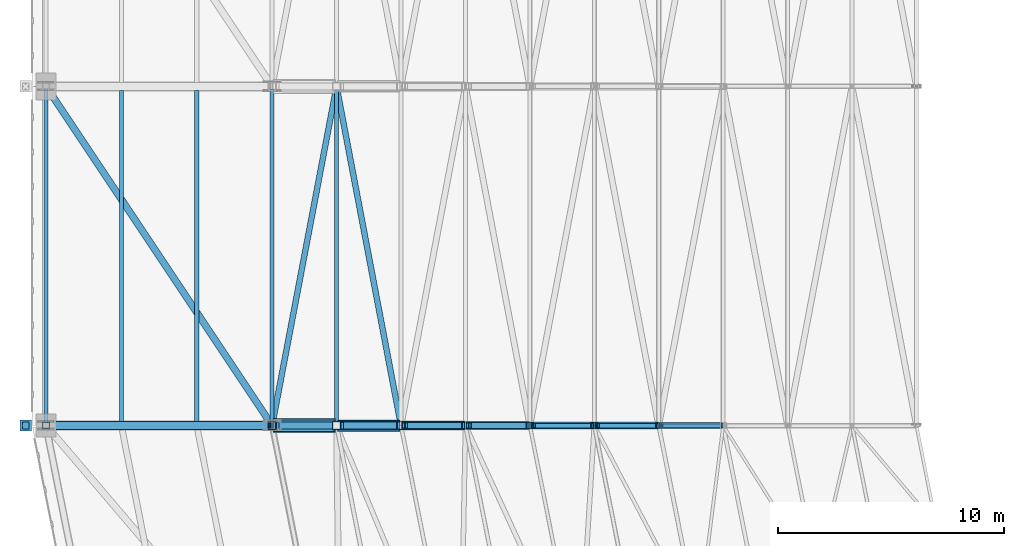
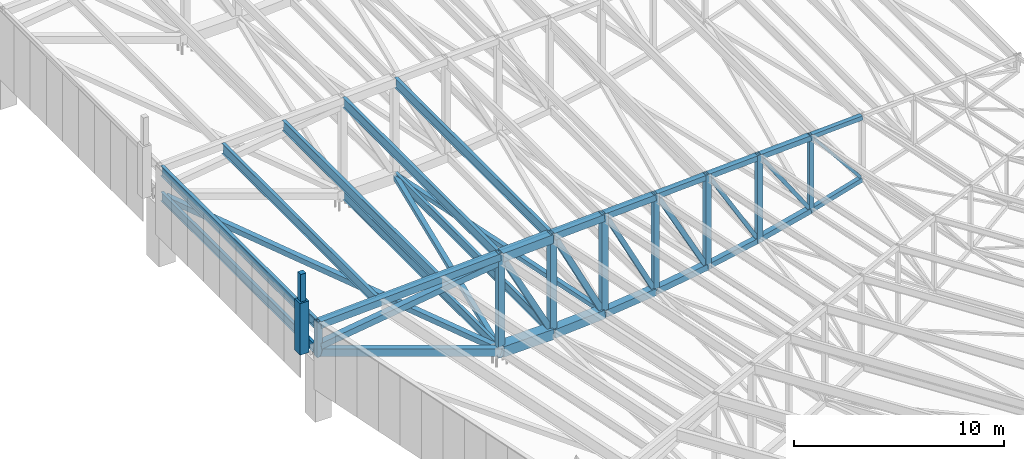
# One storey, part 11 of 278: 24 beams, 21 members.
"""IFC4 building model written with IfcOpenShell, lengths in metres."""

from ifc_helpers import new_model, si_unit, direction, frame, origin, origin_2d, place, context, subcontext, project, spatial, rectangle, hollow_rectangle, i_section, extrude, material, material_profile, profile_set, type_object, element, save


model = new_model("IFC4")

# Units and contexts
model_context = context("Model", 3, precision=1e-05, world=origin(), true_north=direction((0.0, 1.0)))
body_context = subcontext(model_context, "Body", "Model", "MODEL_VIEW")
ifc_project = project(units=[si_unit("LENGTHUNIT", "METRE"), si_unit("AREAUNIT", "SQUARE_METRE"), si_unit("VOLUMEUNIT", "CUBIC_METRE"), si_unit("PLANEANGLEUNIT", "RADIAN"), si_unit("MASSUNIT", "GRAM", prefix="KILO")], contexts=[model_context])

# Site, building, storey
site_placement = place(None, origin())
site = spatial("IfcSite", under=ifc_project, at=site_placement, CompositionType="ELEMENT")
building_placement = place(site_placement, origin())
building = spatial("IfcBuilding", under=site, at=building_placement, Name="Ogive Plaza Stadium", CompositionType="ELEMENT")
storey_placement = place(building_placement, frame((0.0, 0.0, 29.0)))
storey = spatial("IfcBuildingStorey", under=building, at=storey_placement, Name="Roof", CompositionType="ELEMENT", Elevation=29.0)

# Members
ifc_material_1 = material(Name="Concrete C45/55 precast", Category="concrete")
ifc_material_profile_1 = material_profile(ifc_material_1, rectangle(XDim=0.5, YDim=0.5, at=origin_2d()), Name="RC 500x500")
ifc_profile_set_1 = profile_set([ifc_material_profile_1], Name="Concrete C45/55 precast")
member_type_1 = type_object("IfcMemberType", Name="Precast pinnacle 500x500", PredefinedType="POST", material=ifc_profile_set_1)
member_1_placement = place(storey_placement, frame((-84.89990234375, -52.5, 4.0), z_axis=(0.0, 0.0, 1.0), x_axis=(0.0, -1.0, 0.0)))
element("IfcMember", 1, at=member_1_placement, inside=storey, type_object=member_type_1, Name="PINNACLE R21", PredefinedType="POST", context=body_context, shape_type="SweptSolid", body=[
    extrude(rectangle(XDim=0.5, YDim=0.5, at=origin_2d()), origin(), (0.0, 0.0, 1.0), 3.0),
])
ifc_material_2 = material(Name="Concrete C45/55 precast", Category="concrete")
ifc_material_profile_2 = material_profile(ifc_material_2, rectangle(XDim=0.300048828125, YDim=0.300048828125, at=origin_2d()), Name="RC 300x300")
ifc_profile_set_2 = profile_set([ifc_material_profile_2], Name="Concrete C45/55 precast")
member_type_2 = type_object("IfcMemberType", Name="Precast spire 300x300", PredefinedType="MEMBER", material=ifc_profile_set_2)
member_2_placement = place(storey_placement, frame((-84.89990234375, -52.5, 7.0), z_axis=(0.0, 0.0, 1.0), x_axis=(0.0, -1.0, 0.0)))
element("IfcMember", 2, at=member_2_placement, inside=storey, type_object=member_type_2, Name="SPIRE R21", PredefinedType="MEMBER", context=body_context, shape_type="SweptSolid", body=[
    extrude(rectangle(XDim=0.300048828125, YDim=0.300048828125, at=origin_2d()), origin(), (0.0, 0.0, 1.0), 1.60009765625),
])
ifc_material_3 = material(Name="Steel ASTM A500 Grade C", Category="steel")
ifc_material_profile_3 = material_profile(ifc_material_3, hollow_rectangle(XDim=0.25390625, YDim=0.25390625, WallThickness=0.0087890625, at=origin_2d()), Name="HSS10X10X3/8")
ifc_profile_set_3 = profile_set([ifc_material_profile_3], Name="Steel ASTM A500 Grade C")
member_type_3 = type_object("IfcMemberType", Name="Roof plan brace HSS10X10X3/8", PredefinedType="BRACE", material=ifc_profile_set_3)
member_3_placement = place(storey_placement, frame((-68.332763671875, -52.327880859375, 0.50927734375), z_axis=(-0.186657320186, 0.982381109131, -0.009295226886), x_axis=(-0.982423551356, -0.186665384421, 0.0)))
element("IfcMember", 3, at=member_3_placement, inside=storey, type_object=member_type_3, Name="ROOF BRACE B21 9", PredefinedType="BRACE", context=body_context, shape_type="SweptSolid", body=[
    extrude(hollow_rectangle(XDim=0.25390625, YDim=0.25390625, WallThickness=0.0087890625, at=origin_2d()), origin(), (0.0, 0.0, 1.0), 14.918701171875),
])
member_4_placement = place(storey_placement, frame((-71.1826171875, -37.672119140625, 0.368408203125), z_axis=(-0.186663720517, -0.982414794197, -0.004222272479), x_axis=(0.982423551356, -0.186665384421, 0.0)))
element("IfcMember", 4, at=member_4_placement, inside=storey, type_object=member_type_3, Name="ROOF BRACE B21 10", PredefinedType="BRACE", context=body_context, shape_type="SweptSolid", body=[
    extrude(hollow_rectangle(XDim=0.25390625, YDim=0.25390625, WallThickness=0.0087890625, at=origin_2d()), origin(), (0.0, 0.0, 1.0), 14.918212890625),
])
ifc_material_4 = material(Name="Steel ASTM A500 Grade C", Category="steel")
ifc_material_profile_4 = material_profile(ifc_material_4, hollow_rectangle(XDim=0.3046875, YDim=0.3046875, WallThickness=0.0087890625, at=origin_2d()), Name="HSS12X12X3/8")
ifc_profile_set_4 = profile_set([ifc_material_profile_4], Name="Steel ASTM A500 Grade C")
member_type_4 = type_object("IfcMemberType", Name="Roof plan brace HSS12X12X3/8", PredefinedType="BRACE", material=ifc_profile_set_4)
member_5_placement = place(storey_placement, frame((-74.158203125, -52.2626953125, 0.358642578125), z_axis=(-0.545096233751, 0.817651210116, 0.185247387419), x_axis=(-0.832052442118, -0.554696974542, 0.0)))
element("IfcMember", 5, at=member_5_placement, inside=storey, type_object=member_type_4, Name="ROOF BRACE B21 11", PredefinedType="BRACE", context=body_context, shape_type="SweptSolid", body=[
    extrude(hollow_rectangle(XDim=0.3046875, YDim=0.3046875, WallThickness=0.0087890625, at=origin_2d()), origin(), (0.0, 0.0, 1.0), 17.7958984375),
])
ifc_material_5 = material(Name="Steel ASTM A992 Grade 50", Category="steel")
ifc_material_profile_5 = material_profile(ifc_material_5, i_section(OverallWidth=0.1650390625, OverallDepth=0.524658203125, WebThickness=0.0087890625, FlangeThickness=0.011474609375, at=origin_2d()), Name="W21X44")
ifc_profile_set_5 = profile_set([ifc_material_profile_5], Name="Steel ASTM A992 Grade 50")
member_type_5 = type_object("IfcMemberType", Name="Roof plan strut W21X44", PredefinedType="STRUT", material=ifc_profile_set_5)
for number, where, z_axis, x_axis, name in (
    (6, (-71.14990234375, -52.352294921875, 0.369140625), (0.0, 1.0, 0.0), (-1.0, 0.0, 0.0), "ROOF STRUT B21 9"),
    (7, (-74.0, -52.352294921875, 0.3046875), (0.0, 1.0, 0.0), (-1.0, 0.0, 0.0), "ROOF STRUT B21 10"),
):
    element("IfcMember", number, at=place(storey_placement, frame(where, z_axis=z_axis, x_axis=x_axis)), inside=storey, type_object=member_type_5, Name=name, PredefinedType="STRUT", context=body_context, shape_type="SweptSolid", body=[
        extrude(i_section(OverallWidth=0.1650390625, OverallDepth=0.524658203125, WebThickness=0.0087890625, FlangeThickness=0.011474609375, at=origin_2d()), origin(), (0.0, 0.0, 1.0), 14.70458984375),
    ])
member_6_placement = place(storey_placement, frame((-84.0, -52.377685546875, 3.703125), z_axis=(0.0, 1.0, 0.0), x_axis=(-1.0, 0.0, 0.0)))
element("IfcMember", 8, at=member_6_placement, inside=storey, type_object=member_type_5, Name="ROOF STRUT B21 11", PredefinedType="STRUT", context=body_context, shape_type="SweptSolid", body=[
    extrude(i_section(OverallWidth=0.1650390625, OverallDepth=0.524658203125, WebThickness=0.0087890625, FlangeThickness=0.011474609375, at=origin_2d()), origin(), (0.0, 0.0, 1.0), 14.75537109375),
])
ifc_material_6 = material(Name="Steel ASTM A992 Grade 50", Category="steel")
ifc_material_profile_6 = material_profile(ifc_material_6, i_section(OverallWidth=0.177978515625, OverallDepth=0.5986328125, WebThickness=0.010009765625, FlangeThickness=0.012939453125, at=origin_2d()), Name="W24X55")
ifc_profile_set_6 = profile_set([ifc_material_profile_6], Name="Steel ASTM A992 Grade 50")
member_type_6 = type_object("IfcMemberType", Name="Roof purlin W24X55", PredefinedType="PURLIN", material=ifc_profile_set_6)
for number, where, z_axis, x_axis, name in (
    (9, (-71.14990234375, -52.352294921875, 5.84326171875), (0.0, 1.0, 0.0), (-1.0, 0.0, 0.0), "ROOF PURLIN B21 9"),
    (10, (-74.0, -52.352294921875, 5.70068359375), (0.0, 1.0, 0.0), (-1.0, 0.0, 0.0), "ROOF PURLIN B21 10"),
):
    element("IfcMember", number, at=place(storey_placement, frame(where, z_axis=z_axis, x_axis=x_axis)), inside=storey, type_object=member_type_6, Name=name, PredefinedType="PURLIN", context=body_context, shape_type="SweptSolid", body=[
        extrude(i_section(OverallWidth=0.177978515625, OverallDepth=0.5986328125, WebThickness=0.010009765625, FlangeThickness=0.012939453125, at=origin_2d()), origin(), (0.0, 0.0, 1.0), 14.70458984375),
    ])
for number, where, z_axis, x_axis, name in (
    (11, (-77.333251953125, -52.326904296875, 5.533935546875), (0.0, 1.0, 0.0), (-1.0, 0.0, 0.0), "ROOF PURLIN B21 11"),
    (12, (-80.666748046875, -52.326904296875, 5.367431640625), (0.0, 1.0, 0.0), (-1.0, 0.0, 0.0), "ROOF PURLIN B21 12"),
):
    element("IfcMember", number, at=place(storey_placement, frame(where, z_axis=z_axis, x_axis=x_axis)), inside=storey, type_object=member_type_6, Name=name, PredefinedType="PURLIN", context=body_context, shape_type="SweptSolid", body=[
        extrude(i_section(OverallWidth=0.177978515625, OverallDepth=0.5986328125, WebThickness=0.010009765625, FlangeThickness=0.012939453125, at=origin_2d()), origin(), (0.0, 0.0, 1.0), 14.65380859375),
    ])
member_7_placement = place(storey_placement, frame((-84.0, -52.377685546875, 5.20068359375), z_axis=(0.0, 1.0, 0.0), x_axis=(-1.0, 0.0, 0.0)))
element("IfcMember", 13, at=member_7_placement, inside=storey, type_object=member_type_6, Name="ROOF PURLIN B21 13", PredefinedType="PURLIN", context=body_context, shape_type="SweptSolid", body=[
    extrude(i_section(OverallWidth=0.177978515625, OverallDepth=0.5986328125, WebThickness=0.010009765625, FlangeThickness=0.012939453125, at=origin_2d()), origin(), (0.0, 0.0, 1.0), 14.75537109375),
])

# Beams
ifc_material_7 = material(Name="Steel ASTM A500 Grade C", Category="steel")
ifc_material_profile_7 = material_profile(ifc_material_7, hollow_rectangle(XDim=0.406494140625, YDim=0.406494140625, WallThickness=0.0146484375, at=origin_2d()), Name="HSS16X16X5/8")
ifc_profile_set_7 = profile_set([ifc_material_profile_7], Name="Steel ASTM A500 Grade C")
beam_type_1 = type_object("IfcBeamType", Name="Roof truss back-span bottom chord HSS16X16X5/8", PredefinedType="BEAM", material=ifc_profile_set_7)
beam_1_placement = place(storey_placement, frame((-74.050048828125, -52.5, 0.232666015625), z_axis=(-0.943851085966, 0.0, 0.330371196567), x_axis=(0.0, -1.0, 0.0)))
element("IfcBeam", 14, at=beam_1_placement, inside=storey, type_object=beam_type_1, Name="ROOF TRUSS T21 BOTTOM CHORD 11", PredefinedType="BEAM", context=body_context, shape_type="SweptSolid", body=[
    extrude(hollow_rectangle(XDim=0.406494140625, YDim=0.406494140625, WallThickness=0.0146484375, at=origin_2d()), origin(), (0.0, 0.0, 1.0), 10.470703125),
])
ifc_material_8 = material(Name="Steel ASTM A500 Grade C", Category="steel")
ifc_material_profile_8 = material_profile(ifc_material_8, hollow_rectangle(XDim=0.406494140625, YDim=0.406494140625, WallThickness=0.0146484375, at=origin_2d()), Name="HSS16X16X5/8")
ifc_profile_set_8 = profile_set([ifc_material_profile_8], Name="Steel ASTM A500 Grade C")
beam_type_2 = type_object("IfcBeamType", Name="Roof truss back-span top chord HSS16X16X5/8", PredefinedType="BEAM", material=ifc_profile_set_8)
beam_2_placement = place(storey_placement, frame((-74.050048828125, -52.5, 5.7939453125), z_axis=(-0.998752953021, 0.0, -0.049925332571), x_axis=(0.0, -1.0, 0.0)))
element("IfcBeam", 15, at=beam_2_placement, inside=storey, type_object=beam_type_2, Name="ROOF TRUSS T21 TOP CHORD 11", PredefinedType="BEAM", context=body_context, shape_type="SweptSolid", body=[
    extrude(hollow_rectangle(XDim=0.406494140625, YDim=0.406494140625, WallThickness=0.0146484375, at=origin_2d()), origin(), (0.0, 0.0, 1.0), 9.912353515625),
])

# Member
ifc_material_9 = material(Name="Steel ASTM A500 Grade C", Category="steel")
ifc_material_profile_9 = material_profile(ifc_material_9, hollow_rectangle(XDim=0.355712890625, YDim=0.355712890625, WallThickness=0.0146484375, at=origin_2d()), Name="HSS14X14X5/8")
ifc_profile_set_9 = profile_set([ifc_material_profile_9], Name="Steel ASTM A500 Grade C")
member_type_7 = type_object("IfcMemberType", Name="Roof truss back-stay HSS14X14X5/8", PredefinedType="BRACE", material=ifc_profile_set_9)
member_8_placement = place(storey_placement, frame((-74.093017578125, -52.5, 5.45654296875), z_axis=(-0.989844100519, 0.0, -0.142157154826), x_axis=(0.0, -1.0, 0.0)))
element("IfcMember", 16, at=member_8_placement, inside=storey, type_object=member_type_7, Name="BACK-STAY T21", PredefinedType="BRACE", context=body_context, shape_type="SweptSolid", body=[
    extrude(hollow_rectangle(XDim=0.355712890625, YDim=0.355712890625, WallThickness=0.0146484375, at=origin_2d()), origin(), (0.0, 0.0, 1.0), 9.9404296875),
])

# Beams
ifc_material_10 = material(Name="Steel ASTM A500 Grade C", Category="steel")
ifc_material_profile_10 = material_profile(ifc_material_10, hollow_rectangle(XDim=0.25390625, YDim=0.25390625, WallThickness=0.01171875, at=origin_2d()), Name="HSS10X10X1/2")
ifc_profile_set_10 = profile_set([ifc_material_profile_10], Name="Steel ASTM A500 Grade C")
beam_type_3 = type_object("IfcBeamType", Name="Roof truss bottom chord HSS10X10X1/2", PredefinedType="BEAM", material=ifc_profile_set_10)
beam_3_placement = place(storey_placement, frame((-54.10009765625, -52.5, 3.265869140625), z_axis=(-0.959640437259, 0.0, -0.281229854705), x_axis=(0.0, -1.0, 0.0)))
element("IfcBeam", 17, at=beam_3_placement, inside=storey, type_object=beam_type_3, Name="ROOF TRUSS T21 BOTTOM CHORD 4", PredefinedType="BEAM", context=body_context, shape_type="SweptSolid", body=[
    extrude(hollow_rectangle(XDim=0.25390625, YDim=0.25390625, WallThickness=0.01171875, at=origin_2d()), origin(), (0.0, 0.0, 1.0), 2.86572265625),
])
ifc_material_11 = material(Name="Steel ASTM A500 Grade C", Category="steel")
ifc_material_profile_11 = material_profile(ifc_material_11, hollow_rectangle(XDim=0.3046875, YDim=0.3046875, WallThickness=0.0146484375, at=origin_2d()), Name="HSS12X12X5/8")
ifc_profile_set_11 = profile_set([ifc_material_profile_11], Name="Steel ASTM A500 Grade C")
beam_type_4 = type_object("IfcBeamType", Name="Roof truss bottom chord HSS12X12X5/8", PredefinedType="BEAM", material=ifc_profile_set_11)
beam_4_placement = place(storey_placement, frame((-56.949951171875, -52.5, 2.45751953125), z_axis=(-0.970607032995, 0.0, -0.240669872439), x_axis=(0.0, -1.0, 0.0)))
element("IfcBeam", 18, at=beam_4_placement, inside=storey, type_object=beam_type_4, Name="ROOF TRUSS T21 BOTTOM CHORD 5", PredefinedType="BEAM", context=body_context, shape_type="SweptSolid", body=[
    extrude(hollow_rectangle(XDim=0.3046875, YDim=0.3046875, WallThickness=0.0146484375, at=origin_2d()), origin(), (0.0, 0.0, 1.0), 2.833251953125),
])
beam_5_placement = place(storey_placement, frame((-59.800048828125, -52.5, 1.751708984375), z_axis=(-0.980021250437, 0.0, -0.19889280704), x_axis=(0.0, -1.0, 0.0)))
element("IfcBeam", 19, at=beam_5_placement, inside=storey, type_object=beam_type_4, Name="ROOF TRUSS T21 BOTTOM CHORD 6", PredefinedType="BEAM", context=body_context, shape_type="SweptSolid", body=[
    extrude(hollow_rectangle(XDim=0.3046875, YDim=0.3046875, WallThickness=0.0146484375, at=origin_2d()), origin(), (0.0, 0.0, 1.0), 2.80615234375),
])
ifc_material_12 = material(Name="Steel ASTM A500 Grade C", Category="steel")
ifc_material_profile_12 = material_profile(ifc_material_12, hollow_rectangle(XDim=0.355712890625, YDim=0.355712890625, WallThickness=0.0146484375, at=origin_2d()), Name="HSS14X14X5/8")
ifc_profile_set_12 = profile_set([ifc_material_profile_12], Name="Steel ASTM A500 Grade C")
beam_type_5 = type_object("IfcBeamType", Name="Roof truss bottom chord HSS14X14X5/8", PredefinedType="BEAM", material=ifc_profile_set_12)
beam_6_placement = place(storey_placement, frame((-62.64990234375, -52.5, 1.2001953125), z_axis=(-0.987770074518, 0.0, -0.155917541947), x_axis=(0.0, -1.0, 0.0)))
element("IfcBeam", 20, at=beam_6_placement, inside=storey, type_object=beam_type_5, Name="ROOF TRUSS T21 BOTTOM CHORD 7", PredefinedType="BEAM", context=body_context, shape_type="SweptSolid", body=[
    extrude(hollow_rectangle(XDim=0.355712890625, YDim=0.355712890625, WallThickness=0.0146484375, at=origin_2d()), origin(), (0.0, 0.0, 1.0), 2.783935546875),
])
ifc_material_13 = material(Name="Steel ASTM A500 Grade C", Category="steel")
ifc_material_profile_13 = material_profile(ifc_material_13, hollow_rectangle(XDim=0.406494140625, YDim=0.406494140625, WallThickness=0.0146484375, at=origin_2d()), Name="HSS16X16X5/8")
ifc_profile_set_13 = profile_set([ifc_material_profile_13], Name="Steel ASTM A500 Grade C")
beam_type_6 = type_object("IfcBeamType", Name="Roof truss bottom chord HSS16X16X5/8", PredefinedType="BEAM", material=ifc_profile_set_13)
beam_7_placement = place(storey_placement, frame((-65.5, -52.5, 0.777099609375), z_axis=(-0.993703844406, 0.0, -0.112038696946), x_axis=(0.0, -1.0, 0.0)))
element("IfcBeam", 21, at=beam_7_placement, inside=storey, type_object=beam_type_6, Name="ROOF TRUSS T21 BOTTOM CHORD 8", PredefinedType="BEAM", context=body_context, shape_type="SweptSolid", body=[
    extrude(hollow_rectangle(XDim=0.406494140625, YDim=0.406494140625, WallThickness=0.0146484375, at=origin_2d()), origin(), (0.0, 0.0, 1.0), 2.767333984375),
])
ifc_material_14 = material(Name="Steel ASTM A500 Grade C", Category="steel")
ifc_material_profile_14 = material_profile(ifc_material_14, hollow_rectangle(XDim=0.508056640625, YDim=0.508056640625, WallThickness=0.0146484375, at=origin_2d()), Name="HSS20X20X5/8")
ifc_profile_set_14 = profile_set([ifc_material_profile_14], Name="Steel ASTM A500 Grade C")
beam_type_7 = type_object("IfcBeamType", Name="Roof truss bottom chord HSS20X20X5/8", PredefinedType="BEAM", material=ifc_profile_set_14)
beam_8_placement = place(storey_placement, frame((-68.35009765625, -52.5, 0.50830078125), z_axis=(-0.997719620387, 0.0, -0.06749488199), x_axis=(0.0, -1.0, 0.0)))
element("IfcBeam", 22, at=beam_8_placement, inside=storey, type_object=beam_type_7, Name="ROOF TRUSS T21 BOTTOM CHORD 9", PredefinedType="BEAM", context=body_context, shape_type="SweptSolid", body=[
    extrude(hollow_rectangle(XDim=0.508056640625, YDim=0.508056640625, WallThickness=0.0146484375, at=origin_2d()), origin(), (0.0, 0.0, 1.0), 2.75634765625),
])
ifc_material_15 = material(Name="Steel ASTM A500 Grade C", Category="steel")
ifc_material_profile_15 = material_profile(ifc_material_15, hollow_rectangle(XDim=0.609619140625, YDim=0.609619140625, WallThickness=0.0146484375, at=origin_2d()), Name="HSS24X24X5/8")
ifc_profile_set_15 = profile_set([ifc_material_profile_15], Name="Steel ASTM A500 Grade C")
beam_type_8 = type_object("IfcBeamType", Name="Roof truss bottom chord HSS24X24X5/8", PredefinedType="BEAM", material=ifc_profile_set_15)
beam_9_placement = place(storey_placement, frame((-71.199951171875, -52.5, 0.367919921875), z_axis=(-0.999745852076, 0.0, -0.022543984946), x_axis=(0.0, -1.0, 0.0)))
element("IfcBeam", 23, at=beam_9_placement, inside=storey, type_object=beam_type_8, Name="ROOF TRUSS T21 BOTTOM CHORD 10", PredefinedType="BEAM", context=body_context, shape_type="SweptSolid", body=[
    extrude(hollow_rectangle(XDim=0.609619140625, YDim=0.609619140625, WallThickness=0.0146484375, at=origin_2d()), origin(), (0.0, 0.0, 1.0), 2.750732421875),
])

# Members
ifc_material_16 = material(Name="Steel ASTM A500 Grade C", Category="steel")
ifc_material_profile_16 = material_profile(ifc_material_16, hollow_rectangle(XDim=0.25390625, YDim=0.25390625, WallThickness=0.0087890625, at=origin_2d()), Name="HSS10X10X3/8")
ifc_profile_set_16 = profile_set([ifc_material_profile_16], Name="Steel ASTM A500 Grade C")
member_type_8 = type_object("IfcMemberType", Name="Roof truss diagonal HSS10X10X3/8", PredefinedType="BRACE", material=ifc_profile_set_16)
member_9_placement = place(storey_placement, frame((-62.75244140625, -52.5, 1.383544921875), z_axis=(-0.473127942579, 0.0, 0.880993728667), x_axis=(0.0, -1.0, 0.0)))
element("IfcMember", 24, at=member_9_placement, inside=storey, type_object=member_type_8, Name="ROOF TRUSS T21 DIAGONAL 7", PredefinedType="BRACE", context=body_context, shape_type="SweptSolid", body=[
    extrude(hollow_rectangle(XDim=0.25390625, YDim=0.25390625, WallThickness=0.0087890625, at=origin_2d()), origin(), (0.0, 0.0, 1.0), 5.37939453125),
])
member_10_placement = place(storey_placement, frame((-65.602294921875, -52.5, 0.984619140625), z_axis=(-0.454062843231, 0.0, 0.890969659639), x_axis=(0.0, -1.0, 0.0)))
element("IfcMember", 25, at=member_10_placement, inside=storey, type_object=member_type_8, Name="ROOF TRUSS T21 DIAGONAL 8", PredefinedType="BRACE", context=body_context, shape_type="SweptSolid", body=[
    extrude(hollow_rectangle(XDim=0.25390625, YDim=0.25390625, WallThickness=0.0087890625, at=origin_2d()), origin(), (0.0, 0.0, 1.0), 5.550048828125),
])
ifc_material_17 = material(Name="Steel ASTM A500 Grade C", Category="steel")
ifc_material_profile_17 = material_profile(ifc_material_17, hollow_rectangle(XDim=0.3046875, YDim=0.3046875, WallThickness=0.0087890625, at=origin_2d()), Name="HSS12X12X3/8")
ifc_profile_set_17 = profile_set([ifc_material_profile_17], Name="Steel ASTM A500 Grade C")
member_type_9 = type_object("IfcMemberType", Name="Roof truss diagonal HSS12X12X3/8", PredefinedType="BRACE", material=ifc_profile_set_17)
member_11_placement = place(storey_placement, frame((-68.477783203125, -52.5, 0.764892578125), z_axis=(-0.448477330766, 0.0, 0.893794206621), x_axis=(0.0, -1.0, 0.0)))
element("IfcMember", 26, at=member_11_placement, inside=storey, type_object=member_type_9, Name="ROOF TRUSS T21 DIAGONAL 9", PredefinedType="BRACE", context=body_context, shape_type="SweptSolid", body=[
    extrude(hollow_rectangle(XDim=0.3046875, YDim=0.3046875, WallThickness=0.0087890625, at=origin_2d()), origin(), (0.0, 0.0, 1.0), 5.56201171875),
])
member_12_placement = place(storey_placement, frame((-71.327880859375, -52.5, 0.673828125), z_axis=(-0.459750963822, 0.0, 0.888047887934), x_axis=(0.0, -1.0, 0.0)))
element("IfcMember", 27, at=member_12_placement, inside=storey, type_object=member_type_9, Name="ROOF TRUSS T21 DIAGONAL 10", PredefinedType="BRACE", context=body_context, shape_type="SweptSolid", body=[
    extrude(hollow_rectangle(XDim=0.3046875, YDim=0.3046875, WallThickness=0.0087890625, at=origin_2d()), origin(), (0.0, 0.0, 1.0), 5.425537109375),
])
ifc_material_18 = material(Name="Steel ASTM A500 Grade C", Category="steel")
ifc_material_profile_18 = material_profile(ifc_material_18, hollow_rectangle(XDim=0.15234375, YDim=0.15234375, WallThickness=0.0087890625, at=origin_2d()), Name="HSS6X6X3/8")
ifc_profile_set_18 = profile_set([ifc_material_profile_18], Name="Steel ASTM A500 Grade C")
member_type_10 = type_object("IfcMemberType", Name="Roof truss diagonal HSS6X6X3/8", PredefinedType="BRACE", material=ifc_profile_set_18)
member_13_placement = place(storey_placement, frame((-54.177001953125, -52.5, 3.40234375), z_axis=(-0.630150764463, 0.0, 0.77647280316), x_axis=(0.0, -1.0, 0.0)))
element("IfcMember", 28, at=member_13_placement, inside=storey, type_object=member_type_10, Name="ROOF TRUSS T21 DIAGONAL 4", PredefinedType="BRACE", context=body_context, shape_type="SweptSolid", body=[
    extrude(hollow_rectangle(XDim=0.15234375, YDim=0.15234375, WallThickness=0.0087890625, at=origin_2d()), origin(), (0.0, 0.0, 1.0), 4.11962890625),
])
ifc_material_19 = material(Name="Steel ASTM A500 Grade C", Category="steel")
ifc_material_profile_19 = material_profile(ifc_material_19, hollow_rectangle(XDim=0.203125, YDim=0.203125, WallThickness=0.0087890625, at=origin_2d()), Name="HSS8X8X3/8")
ifc_profile_set_19 = profile_set([ifc_material_profile_19], Name="Steel ASTM A500 Grade C")
member_type_11 = type_object("IfcMemberType", Name="Roof truss diagonal HSS8X8X3/8", PredefinedType="BRACE", material=ifc_profile_set_19)
member_14_placement = place(storey_placement, frame((-57.027099609375, -52.5, 2.617919921875), z_axis=(-0.561338440243, 0.0, 0.827586343233), x_axis=(0.0, -1.0, 0.0)))
element("IfcMember", 29, at=member_14_placement, inside=storey, type_object=member_type_11, Name="ROOF TRUSS T21 DIAGONAL 5", PredefinedType="BRACE", context=body_context, shape_type="SweptSolid", body=[
    extrude(hollow_rectangle(XDim=0.203125, YDim=0.203125, WallThickness=0.0087890625, at=origin_2d()), origin(), (0.0, 0.0, 1.0), 4.579345703125),
])
member_15_placement = place(storey_placement, frame((-59.90234375, -52.5, 1.9111328125), z_axis=(-0.504659398762, 0.0, 0.863318534054), x_axis=(0.0, -1.0, 0.0)))
element("IfcMember", 30, at=member_15_placement, inside=storey, type_object=member_type_11, Name="ROOF TRUSS T21 DIAGONAL 6", PredefinedType="BRACE", context=body_context, shape_type="SweptSolid", body=[
    extrude(hollow_rectangle(XDim=0.203125, YDim=0.203125, WallThickness=0.0087890625, at=origin_2d()), origin(), (0.0, 0.0, 1.0), 5.043212890625),
])

# Beams
ifc_material_20 = material(Name="Steel ASTM A500 Grade C", Category="steel")
ifc_material_profile_20 = material_profile(ifc_material_20, hollow_rectangle(XDim=0.25390625, YDim=0.25390625, WallThickness=0.01171875, at=origin_2d()), Name="HSS10X10X1/2")
ifc_profile_set_20 = profile_set([ifc_material_profile_20], Name="Steel ASTM A500 Grade C")
beam_type_9 = type_object("IfcBeamType", Name="Roof truss post HSS10X10X1/2", PredefinedType="BEAM", material=ifc_profile_set_20)
beam_10_placement = place(storey_placement, frame((-56.89990234375, -52.5, 2.31298828125), z_axis=(0.0, 0.0, 1.0), x_axis=(0.0, -1.0, 0.0)))
element("IfcBeam", 31, at=beam_10_placement, inside=storey, type_object=beam_type_9, Name="ROOF TRUSS T21 POST 5", PredefinedType="BEAM", context=body_context, shape_type="SweptSolid", body=[
    extrude(hollow_rectangle(XDim=0.25390625, YDim=0.25390625, WallThickness=0.01171875, at=origin_2d()), origin(), (0.0, 0.0, 1.0), 4.5419921875),
])
ifc_material_21 = material(Name="Steel ASTM A500 Grade C", Category="steel")
ifc_material_profile_21 = material_profile(ifc_material_21, hollow_rectangle(XDim=0.3046875, YDim=0.3046875, WallThickness=0.01171875, at=origin_2d()), Name="HSS12X12X1/2")
ifc_profile_set_21 = profile_set([ifc_material_profile_21], Name="Steel ASTM A500 Grade C")
beam_type_10 = type_object("IfcBeamType", Name="Roof truss post HSS12X12X1/2", PredefinedType="BEAM", material=ifc_profile_set_21)
beam_11_placement = place(storey_placement, frame((-59.75, -52.5, 1.606201171875), z_axis=(0.0, 0.0, 1.0), x_axis=(0.0, -1.0, 0.0)))
element("IfcBeam", 32, at=beam_11_placement, inside=storey, type_object=beam_type_10, Name="ROOF TRUSS T21 POST 6", PredefinedType="BEAM", context=body_context, shape_type="SweptSolid", body=[
    extrude(hollow_rectangle(XDim=0.3046875, YDim=0.3046875, WallThickness=0.01171875, at=origin_2d()), origin(), (0.0, 0.0, 1.0), 5.106201171875),
])
beam_12_placement = place(storey_placement, frame((-84.0, -52.5, 3.43994140625), z_axis=(0.0, 0.0, 1.0), x_axis=(0.0, -1.0, 0.0)))
element("IfcBeam", 33, at=beam_12_placement, inside=storey, type_object=beam_type_10, Name="ROOF TRUSS T21 POST 12", PredefinedType="BEAM", context=body_context, shape_type="SweptSolid", body=[
    extrude(hollow_rectangle(XDim=0.3046875, YDim=0.3046875, WallThickness=0.01171875, at=origin_2d()), origin(), (0.0, 0.0, 1.0), 2.06005859375),
])
ifc_material_22 = material(Name="Steel ASTM A500 Grade C", Category="steel")
ifc_material_profile_22 = material_profile(ifc_material_22, hollow_rectangle(XDim=0.3046875, YDim=0.3046875, WallThickness=0.0146484375, at=origin_2d()), Name="HSS12X12X5/8")
ifc_profile_set_22 = profile_set([ifc_material_profile_22], Name="Steel ASTM A500 Grade C")
beam_type_11 = type_object("IfcBeamType", Name="Roof truss post HSS12X12X5/8", PredefinedType="BEAM", material=ifc_profile_set_22)
beam_13_placement = place(storey_placement, frame((-62.60009765625, -52.5, 1.028076171875), z_axis=(0.0, 0.0, 1.0), x_axis=(0.0, -1.0, 0.0)))
element("IfcBeam", 34, at=beam_13_placement, inside=storey, type_object=beam_type_11, Name="ROOF TRUSS T21 POST 7", PredefinedType="BEAM", context=body_context, shape_type="SweptSolid", body=[
    extrude(hollow_rectangle(XDim=0.3046875, YDim=0.3046875, WallThickness=0.0146484375, at=origin_2d()), origin(), (0.0, 0.0, 1.0), 5.5419921875),
])
beam_14_placement = place(storey_placement, frame((-65.449951171875, -52.5, 0.578369140625), z_axis=(0.0, 0.0, 1.0), x_axis=(0.0, -1.0, 0.0)))
element("IfcBeam", 35, at=beam_14_placement, inside=storey, type_object=beam_type_11, Name="ROOF TRUSS T21 POST 8", PredefinedType="BEAM", context=body_context, shape_type="SweptSolid", body=[
    extrude(hollow_rectangle(XDim=0.3046875, YDim=0.3046875, WallThickness=0.0146484375, at=origin_2d()), origin(), (0.0, 0.0, 1.0), 5.84912109375),
])
ifc_material_23 = material(Name="Steel ASTM A500 Grade C", Category="steel")
ifc_material_profile_23 = material_profile(ifc_material_23, hollow_rectangle(XDim=0.355712890625, YDim=0.355712890625, WallThickness=0.0146484375, at=origin_2d()), Name="HSS14X14X5/8")
ifc_profile_set_23 = profile_set([ifc_material_profile_23], Name="Steel ASTM A500 Grade C")
beam_type_12 = type_object("IfcBeamType", Name="Roof truss post HSS14X14X5/8", PredefinedType="BEAM", material=ifc_profile_set_23)
beam_15_placement = place(storey_placement, frame((-68.300048828125, -52.5, 0.257080078125), z_axis=(0.0, 0.0, 1.0), x_axis=(0.0, -1.0, 0.0)))
element("IfcBeam", 36, at=beam_15_placement, inside=storey, type_object=beam_type_12, Name="ROOF TRUSS T21 POST 9", PredefinedType="BEAM", context=body_context, shape_type="SweptSolid", body=[
    extrude(hollow_rectangle(XDim=0.355712890625, YDim=0.355712890625, WallThickness=0.0146484375, at=origin_2d()), origin(), (0.0, 0.0, 1.0), 6.02783203125),
])
beam_16_placement = place(storey_placement, frame((-71.14990234375, -52.5, 0.064208984375), z_axis=(0.0, 0.0, 1.0), x_axis=(0.0, -1.0, 0.0)))
element("IfcBeam", 37, at=beam_16_placement, inside=storey, type_object=beam_type_12, Name="ROOF TRUSS T21 POST 10", PredefinedType="BEAM", context=body_context, shape_type="SweptSolid", body=[
    extrude(hollow_rectangle(XDim=0.355712890625, YDim=0.355712890625, WallThickness=0.0146484375, at=origin_2d()), origin(), (0.0, 0.0, 1.0), 6.078369140625),
])
beam_17_placement = place(storey_placement, frame((-74.0, -52.5, -0.06005859375), z_axis=(0.0, 0.0, 1.0), x_axis=(0.0, -1.0, 0.0)))
element("IfcBeam", 38, at=beam_17_placement, inside=storey, type_object=beam_type_12, Name="ROOF TRUSS T21 POST 11", PredefinedType="BEAM", context=body_context, shape_type="SweptSolid", body=[
    extrude(hollow_rectangle(XDim=0.355712890625, YDim=0.355712890625, WallThickness=0.0146484375, at=origin_2d()), origin(), (0.0, 0.0, 1.0), 6.06005859375),
])
ifc_material_24 = material(Name="Steel ASTM A500 Grade C", Category="steel")
ifc_material_profile_24 = material_profile(ifc_material_24, hollow_rectangle(XDim=0.25390625, YDim=0.25390625, WallThickness=0.0087890625, at=origin_2d()), Name="HSS10X10X3/8")
ifc_profile_set_24 = profile_set([ifc_material_profile_24], Name="Steel ASTM A500 Grade C")
beam_type_13 = type_object("IfcBeamType", Name="Roof truss top chord HSS10X10X3/8", PredefinedType="BEAM", material=ifc_profile_set_24)
beam_18_placement = place(storey_placement, frame((-54.10009765625, -52.5, 6.867919921875), z_axis=(-0.998748798523, 0.0, -0.05000837379), x_axis=(0.0, -1.0, 0.0)))
element("IfcBeam", 39, at=beam_18_placement, inside=storey, type_object=beam_type_13, Name="ROOF TRUSS T21 TOP CHORD 4", PredefinedType="BEAM", context=body_context, shape_type="SweptSolid", body=[
    extrude(hollow_rectangle(XDim=0.25390625, YDim=0.25390625, WallThickness=0.0087890625, at=origin_2d()), origin(), (0.0, 0.0, 1.0), 2.75341796875),
])
ifc_material_25 = material(Name="Steel ASTM A500 Grade C", Category="steel")
ifc_material_profile_25 = material_profile(ifc_material_25, hollow_rectangle(XDim=0.3046875, YDim=0.3046875, WallThickness=0.01171875, at=origin_2d()), Name="HSS12X12X1/2")
ifc_profile_set_25 = profile_set([ifc_material_profile_25], Name="Steel ASTM A500 Grade C")
beam_type_14 = type_object("IfcBeamType", Name="Roof truss top chord HSS12X12X1/2", PredefinedType="BEAM", material=ifc_profile_set_25)
beam_19_placement = place(storey_placement, frame((-62.64990234375, -52.5, 6.414794921875), z_axis=(-0.998753223187, 0.0, -0.049919927615), x_axis=(0.0, -1.0, 0.0)))
element("IfcBeam", 40, at=beam_19_placement, inside=storey, type_object=beam_type_14, Name="ROOF TRUSS T21 TOP CHORD 7", PredefinedType="BEAM", context=body_context, shape_type="SweptSolid", body=[
    extrude(hollow_rectangle(XDim=0.3046875, YDim=0.3046875, WallThickness=0.01171875, at=origin_2d()), origin(), (0.0, 0.0, 1.0), 2.75341796875),
])
ifc_material_26 = material(Name="Steel ASTM A500 Grade C", Category="steel")
ifc_material_profile_26 = material_profile(ifc_material_26, hollow_rectangle(XDim=0.3046875, YDim=0.3046875, WallThickness=0.0087890625, at=origin_2d()), Name="HSS12X12X3/8")
ifc_profile_set_26 = profile_set([ifc_material_profile_26], Name="Steel ASTM A500 Grade C")
beam_type_15 = type_object("IfcBeamType", Name="Roof truss top chord HSS12X12X3/8", PredefinedType="BEAM", material=ifc_profile_set_26)
for number, where, z_axis, x_axis, name in (
    (41, (-56.949951171875, -52.5, 6.699951171875), (-0.998753223187, 0.0, -0.049919927615), (0.0, -1.0, 0.0), "ROOF TRUSS T21 TOP CHORD 5"),
    (42, (-59.800048828125, -52.5, 6.557373046875), (-0.998753223187, 0.0, -0.049919927615), (0.0, -1.0, 0.0), "ROOF TRUSS T21 TOP CHORD 6"),
):
    element("IfcBeam", number, at=place(storey_placement, frame(where, z_axis=z_axis, x_axis=x_axis)), inside=storey, type_object=beam_type_15, Name=name, PredefinedType="BEAM", context=body_context, shape_type="SweptSolid", body=[
        extrude(hollow_rectangle(XDim=0.3046875, YDim=0.3046875, WallThickness=0.0087890625, at=origin_2d()), origin(), (0.0, 0.0, 1.0), 2.75341796875),
    ])
ifc_material_27 = material(Name="Steel ASTM A500 Grade C", Category="steel")
ifc_material_profile_27 = material_profile(ifc_material_27, hollow_rectangle(XDim=0.355712890625, YDim=0.355712890625, WallThickness=0.01171875, at=origin_2d()), Name="HSS14X14X1/2")
ifc_profile_set_27 = profile_set([ifc_material_profile_27], Name="Steel ASTM A500 Grade C")
beam_type_16 = type_object("IfcBeamType", Name="Roof truss top chord HSS14X14X1/2", PredefinedType="BEAM", material=ifc_profile_set_27)
beam_20_placement = place(storey_placement, frame((-65.5, -52.5, 6.2470703125), z_axis=(-0.998748798523, 0.0, -0.05000837379), x_axis=(0.0, -1.0, 0.0)))
element("IfcBeam", 43, at=beam_20_placement, inside=storey, type_object=beam_type_16, Name="ROOF TRUSS T21 TOP CHORD 8", PredefinedType="BEAM", context=body_context, shape_type="SweptSolid", body=[
    extrude(hollow_rectangle(XDim=0.355712890625, YDim=0.355712890625, WallThickness=0.01171875, at=origin_2d()), origin(), (0.0, 0.0, 1.0), 2.75341796875),
])
ifc_material_28 = material(Name="Steel ASTM A500 Grade C", Category="steel")
ifc_material_profile_28 = material_profile(ifc_material_28, hollow_rectangle(XDim=0.406494140625, YDim=0.406494140625, WallThickness=0.01171875, at=origin_2d()), Name="HSS16X16X1/2")
ifc_profile_set_28 = profile_set([ifc_material_profile_28], Name="Steel ASTM A500 Grade C")
beam_type_17 = type_object("IfcBeamType", Name="Roof truss top chord HSS16X16X1/2", PredefinedType="BEAM", material=ifc_profile_set_28)
beam_21_placement = place(storey_placement, frame((-68.35009765625, -52.5, 6.0791015625), z_axis=(-0.998753223187, 0.0, -0.049919927615), x_axis=(0.0, -1.0, 0.0)))
element("IfcBeam", 44, at=beam_21_placement, inside=storey, type_object=beam_type_17, Name="ROOF TRUSS T21 TOP CHORD 9", PredefinedType="BEAM", context=body_context, shape_type="SweptSolid", body=[
    extrude(hollow_rectangle(XDim=0.406494140625, YDim=0.406494140625, WallThickness=0.01171875, at=origin_2d()), origin(), (0.0, 0.0, 1.0), 2.75341796875),
])
ifc_material_29 = material(Name="Steel ASTM A500 Grade C", Category="steel")
ifc_material_profile_29 = material_profile(ifc_material_29, hollow_rectangle(XDim=0.508056640625, YDim=0.508056640625, WallThickness=0.0146484375, at=origin_2d()), Name="HSS20X20X5/8")
ifc_profile_set_29 = profile_set([ifc_material_profile_29], Name="Steel ASTM A500 Grade C")
beam_type_18 = type_object("IfcBeamType", Name="Roof truss top chord HSS20X20X5/8", PredefinedType="BEAM", material=ifc_profile_set_29)
beam_22_placement = place(storey_placement, frame((-71.199951171875, -52.5, 5.8857421875), z_axis=(-0.998753223187, 0.0, -0.049919927615), x_axis=(0.0, -1.0, 0.0)))
element("IfcBeam", 45, at=beam_22_placement, inside=storey, type_object=beam_type_18, Name="ROOF TRUSS T21 TOP CHORD 10", PredefinedType="BEAM", context=body_context, shape_type="SweptSolid", body=[
    extrude(hollow_rectangle(XDim=0.508056640625, YDim=0.508056640625, WallThickness=0.0146484375, at=origin_2d()), origin(), (0.0, 0.0, 1.0), 2.75341796875),
])

save(model, "model.ifc")
